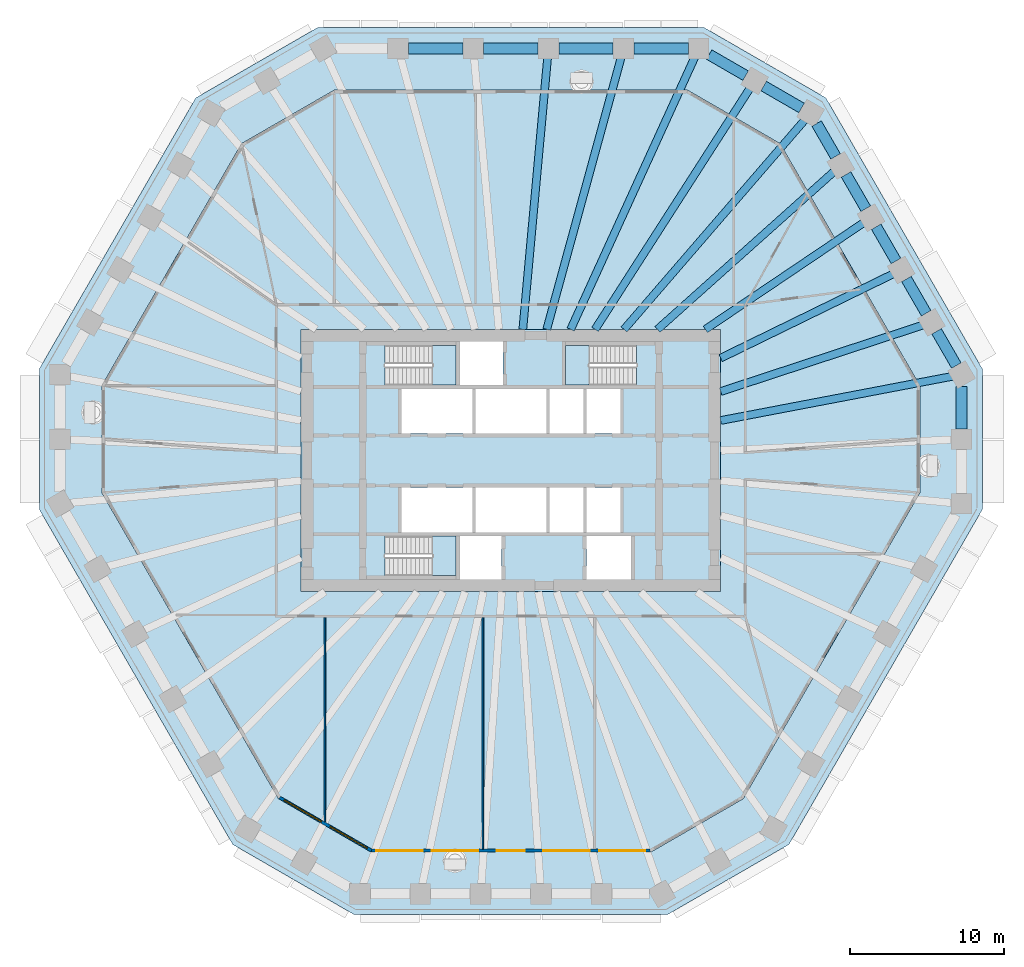
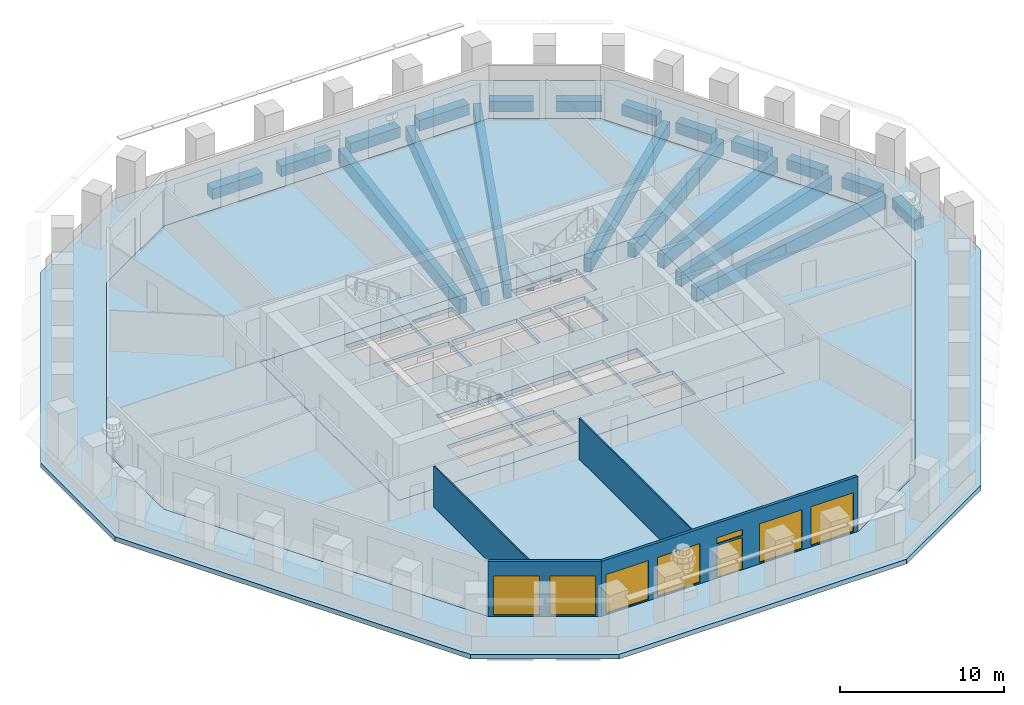
# One storey, part 2 of 12: 22 beams, 7 windows, 6 slabs, 4 walls, 1 door, 8 openings, 3 elements without a shape of their own.
"""IFC4 building model written with IfcOpenShell, lengths in metres."""

from ifc_helpers import new_model, si_unit, direction, frame, frame_2d, origin, origin_2d, place, context, subcontext, project, spatial, polyline, rectangle, outline, extrude, material, layer, layer_set, material_profile, profile_set, type_object, element, fill, aggregate, save


model = new_model("IFC4")

# Units and contexts
model_context = context("Model", 3, precision=1e-05, world=origin(), true_north=direction((0.0, 1.0)))
body_context = subcontext(model_context, "Body", "Model", "MODEL_VIEW")
ifc_project = project(units=[si_unit("LENGTHUNIT", "METRE"), si_unit("AREAUNIT", "SQUARE_METRE"), si_unit("VOLUMEUNIT", "CUBIC_METRE"), si_unit("PLANEANGLEUNIT", "RADIAN"), si_unit("MASSUNIT", "GRAM", prefix="KILO")], contexts=[model_context])

# Site, building, storey
site_placement = place(None, origin())
site = spatial("IfcSite", under=ifc_project, at=site_placement, CompositionType="ELEMENT")
building_placement = place(site_placement, origin())
building = spatial("IfcBuilding", under=site, at=building_placement, Name="Frailejon Research Tower", CompositionType="ELEMENT")
storey_placement = place(building_placement, frame((0.0, 0.0, 126.39990234375)))
storey = spatial("IfcBuildingStorey", under=building, at=storey_placement, Name="L27", CompositionType="ELEMENT", Elevation=126.39990234375)

# Beams
ifc_material_1 = material(Name="Concrete C60/75", Category="concrete")
ifc_material_profile_1 = material_profile(ifc_material_1, rectangle(XDim=0.5, YDim=1.050048828125, at=origin_2d()), Name="Girder 500x1050")
ifc_profile_set_1 = profile_set([ifc_material_profile_1], Name="Concrete C60/75")
beam_type_1 = type_object("IfcBeamType", Name="Girder 500x1050", PredefinedType="BEAM", material=ifc_profile_set_1)
beam_1_placement = place(storey_placement, frame((28.65625, 5.464599609375, -0.824951171875), z_axis=(-0.982299508461, -0.187317045881, 0.0), x_axis=(0.187317045881, -0.982299508461, 0.0)))
element("IfcBeam", 1, at=beam_1_placement, inside=storey, type_object=beam_type_1, Name="Girder 500x1050", PredefinedType="BEAM", context=body_context, shape_type="SweptSolid", body=[
    extrude(rectangle(XDim=0.5, YDim=1.050048828125, at=origin_2d()), origin(), (0.0, 0.0, 1.0), 15.327392578125),
])
beam_2_placement = place(storey_placement, frame((26.7421875, 8.790283203125, -0.824951171875), z_axis=(-0.949989871685, -0.312280712975, 0.0), x_axis=(0.312280712975, -0.949989871685, 0.0)))
element("IfcBeam", 2, at=beam_2_placement, inside=storey, type_object=beam_type_1, Name="Girder 500x1050", PredefinedType="BEAM", context=body_context, shape_type="SweptSolid", body=[
    extrude(rectangle(XDim=0.5, YDim=1.050048828125, at=origin_2d()), origin(), (0.0, 0.0, 1.0), 13.833984375),
])
beam_3_placement = place(storey_placement, frame((24.8251953125, 12.1162109375, -0.824951171875), z_axis=(-0.898678258454, -0.438608467522, 0.0), x_axis=(0.438608467522, -0.898678258454, 0.0)))
element("IfcBeam", 3, at=beam_3_placement, inside=storey, type_object=beam_type_1, Name="Girder 500x1050", PredefinedType="BEAM", context=body_context, shape_type="SweptSolid", body=[
    extrude(rectangle(XDim=0.5, YDim=1.050048828125, at=origin_2d()), origin(), (0.0, 0.0, 1.0), 12.49072265625),
])
beam_4_placement = place(storey_placement, frame((22.905517578125, 15.441162109375, -0.824951171875), z_axis=(-0.829186990789, -0.558971317964, 0.0), x_axis=(0.558971317964, -0.829186990789, 0.0)))
element("IfcBeam", 4, at=beam_4_placement, inside=storey, type_object=beam_type_1, Name="Girder 500x1050", PredefinedType="BEAM", context=body_context, shape_type="SweptSolid", body=[
    extrude(rectangle(XDim=0.5, YDim=1.050048828125, at=origin_2d()), origin(), (0.0, 0.0, 1.0), 12.417724609375),
])
beam_5_placement = place(storey_placement, frame((20.983642578125, 18.764404296875, -0.824951171875), z_axis=(-0.745422911023, -0.666591841926, 0.0), x_axis=(0.666591841926, -0.745422911023, 0.0)))
element("IfcBeam", 5, at=beam_5_placement, inside=storey, type_object=beam_type_1, Name="Girder 500x1050", PredefinedType="BEAM", context=body_context, shape_type="SweptSolid", body=[
    extrude(rectangle(XDim=0.5, YDim=1.050048828125, at=origin_2d()), origin(), (0.0, 0.0, 1.0), 15.3984375),
])
beam_6_placement = place(storey_placement, frame((19.07861328125, 22.105712890625, -0.824951171875), z_axis=(-0.65337403375, -0.757035251505, 0.0), x_axis=(0.757035251505, -0.65337403375, 0.0)))
element("IfcBeam", 6, at=beam_6_placement, inside=storey, type_object=beam_type_1, Name="Girder 500x1050", PredefinedType="BEAM", context=body_context, shape_type="SweptSolid", body=[
    extrude(rectangle(XDim=0.5, YDim=1.050048828125, at=origin_2d()), origin(), (0.0, 0.0, 1.0), 17.972412109375),
])
beam_7_placement = place(storey_placement, frame((15.51904296875, 24.163818359375, -0.824951171875), z_axis=(-0.540394975615, -0.84141147504, 0.0), x_axis=(0.84141147504, -0.540394975615, 0.0)))
element("IfcBeam", 7, at=beam_7_placement, inside=storey, type_object=beam_type_1, Name="Girder 500x1050", PredefinedType="BEAM", context=body_context, shape_type="SweptSolid", body=[
    extrude(rectangle(XDim=0.5, YDim=1.050048828125, at=origin_2d()), origin(), (0.0, 0.0, 1.0), 18.6162109375),
])
beam_8_placement = place(storey_placement, frame((11.930908203125, 26.16162109375, -0.824951171875), z_axis=(-0.41493120596, -0.90985278717, 0.0), x_axis=(0.90985278717, -0.41493120596, 0.0)))
element("IfcBeam", 8, at=beam_8_placement, inside=storey, type_object=beam_type_1, Name="Girder 500x1050", PredefinedType="BEAM", context=body_context, shape_type="SweptSolid", body=[
    extrude(rectangle(XDim=0.5, YDim=1.050048828125, at=origin_2d()), origin(), (0.0, 0.0, 1.0), 19.41162109375),
])
beam_9_placement = place(storey_placement, frame((7.160888671875, 26.169677734375, -0.824951171875), z_axis=(-0.263940506276, -0.964538961964, 0.0), x_axis=(0.964538961964, -0.263940506276, 0.0)))
element("IfcBeam", 9, at=beam_9_placement, inside=storey, type_object=beam_type_1, Name="Girder 500x1050", PredefinedType="BEAM", context=body_context, shape_type="SweptSolid", body=[
    extrude(rectangle(XDim=0.5, YDim=1.050048828125, at=origin_2d()), origin(), (0.0, 0.0, 1.0), 18.3193359375),
])
beam_10_placement = place(storey_placement, frame((2.387451171875, 26.17431640625, -0.824951171875), z_axis=(-0.090832176828, -0.995866213732, 0.0), x_axis=(0.995866213732, -0.090832176828, 0.0)))
element("IfcBeam", 10, at=beam_10_placement, inside=storey, type_object=beam_type_1, Name="Girder 500x1050", PredefinedType="BEAM", context=body_context, shape_type="SweptSolid", body=[
    extrude(rectangle(XDim=0.5, YDim=1.050048828125, at=origin_2d()), origin(), (0.0, 0.0, 1.0), 17.747802734375),
])
ifc_material_2 = material(Name="Concrete C60/75", Category="concrete")
ifc_material_profile_2 = material_profile(ifc_material_2, rectangle(XDim=0.699951171875, YDim=0.800048828125, at=origin_2d()), Name="Spandrel 700x800")
ifc_profile_set_2 = profile_set([ifc_material_profile_2], Name="Concrete C60/75")
beam_type_2 = type_object("IfcBeamType", Name="Spandrel 700x800", PredefinedType="BEAM", material=ifc_profile_set_2)
beam_11_placement = place(storey_placement, frame((29.211181640625, 2.057861328125, -0.75), z_axis=(0.0, 1.0, 0.0), x_axis=(-1.0, 0.0, 0.0)))
element("IfcBeam", 11, at=beam_11_placement, inside=storey, type_object=beam_type_2, Name="Spandrel 700x800", PredefinedType="BEAM", context=body_context, shape_type="SweptSolid", body=[
    extrude(rectangle(XDim=0.699951171875, YDim=0.800048828125, at=origin_2d()), origin(), (0.0, 0.0, 1.0), 2.733154296875),
])
beam_12_placement = place(storey_placement, frame((28.87353515625, 6.15478515625, -0.75), z_axis=(-0.499991857942, 0.866030104553, 0.0), x_axis=(-0.866030104553, -0.499991857942, 0.0)))
element("IfcBeam", 12, at=beam_12_placement, inside=storey, type_object=beam_type_2, Name="Spandrel 700x800", PredefinedType="BEAM", context=body_context, shape_type="SweptSolid", body=[
    extrude(rectangle(XDim=0.699951171875, YDim=0.800048828125, at=origin_2d()), origin(), (0.0, 0.0, 1.0), 2.5625),
])
beam_13_placement = place(storey_placement, frame((26.917236328125, 9.543212890625, -0.75), z_axis=(-0.499950606877, 0.866053919039, 0.0), x_axis=(-0.866053919039, -0.499950606877, 0.0)))
element("IfcBeam", 13, at=beam_13_placement, inside=storey, type_object=beam_type_2, Name="Spandrel 700x800", PredefinedType="BEAM", context=body_context, shape_type="SweptSolid", body=[
    extrude(rectangle(XDim=0.699951171875, YDim=0.800048828125, at=origin_2d()), origin(), (0.0, 0.0, 1.0), 2.562744140625),
])
for number, where, z_axis, x_axis, name in (
    (14, (24.9609375, 12.931884765625, -0.75), (-0.50003311468, 0.866006284171, 0.0), (-0.866006284171, -0.50003311468, 0.0), "Spandrel 700x800"),
    (15, (23.004638671875, 16.3203125, -0.75), (-0.50003311468, 0.866006284171, 0.0), (-0.866006284171, -0.50003311468, 0.0), "Spandrel 700x800"),
):
    element("IfcBeam", number, at=place(storey_placement, frame(where, z_axis=z_axis, x_axis=x_axis)), inside=storey, type_object=beam_type_2, Name=name, PredefinedType="BEAM", context=body_context, shape_type="SweptSolid", body=[
        extrude(rectangle(XDim=0.699951171875, YDim=0.800048828125, at=origin_2d()), origin(), (0.0, 0.0, 1.0), 2.562255859375),
    ])
beam_14_placement = place(storey_placement, frame((21.04833984375, 19.70849609375, -0.75), z_axis=(-0.499963176624, 0.866046662726, 0.0), x_axis=(-0.866046662726, -0.499963176624, 0.0)))
element("IfcBeam", 16, at=beam_14_placement, inside=storey, type_object=beam_type_2, Name="Spandrel 700x800", PredefinedType="BEAM", context=body_context, shape_type="SweptSolid", body=[
    extrude(rectangle(XDim=0.699951171875, YDim=0.800048828125, at=origin_2d()), origin(), (0.0, 0.0, 1.0), 2.458251953125),
])
beam_15_placement = place(storey_placement, frame((18.844970703125, 22.849853515625, -0.75), z_axis=(-0.865989280058, 0.500062562911, 0.0), x_axis=(-0.500062562911, -0.865989280058, 0.0)))
element("IfcBeam", 17, at=beam_15_placement, inside=storey, type_object=beam_type_2, Name="Spandrel 700x800", PredefinedType="BEAM", context=body_context, shape_type="SweptSolid", body=[
    extrude(rectangle(XDim=0.699951171875, YDim=0.800048828125, at=origin_2d()), origin(), (0.0, 0.0, 1.0), 2.837646484375),
])
beam_16_placement = place(storey_placement, frame((15.218505859375, 24.943603515625, -0.75), z_axis=(-0.866002615699, 0.500039468044, 0.0), x_axis=(-0.500039468044, -0.866002615699, 0.0)))
element("IfcBeam", 18, at=beam_16_placement, inside=storey, type_object=beam_type_2, Name="Spandrel 700x800", PredefinedType="BEAM", context=body_context, shape_type="SweptSolid", body=[
    extrude(rectangle(XDim=0.699951171875, YDim=0.800048828125, at=origin_2d()), origin(), (0.0, 0.0, 1.0), 2.733154296875),
])
for number, where, z_axis, x_axis, name in (
    (19, (11.50146484375, 26.699951171875, -0.75), (-1.0, 0.0, 0.0), (0.0, -1.0, 0.0), "Spandrel 700x800"),
    (20, (6.630859375, 26.699951171875, -0.75), (-1.0, 0.0, 0.0), (0.0, -1.0, 0.0), "Spandrel 700x800"),
    (21, (1.76025390625, 26.699951171875, -0.75), (-1.0, 0.0, 0.0), (0.0, -1.0, 0.0), "Spandrel 700x800"),
    (22, (-3.1103515625, 26.699951171875, -0.75), (-1.0, 0.0, 0.0), (0.0, -1.0, 0.0), "Spandrel 700x800"),
):
    element("IfcBeam", number, at=place(storey_placement, frame(where, z_axis=z_axis, x_axis=x_axis)), inside=storey, type_object=beam_type_2, Name=name, PredefinedType="BEAM", context=body_context, shape_type="SweptSolid", body=[
        extrude(rectangle(XDim=0.699951171875, YDim=0.800048828125, at=origin_2d()), origin(), (0.0, 0.0, 1.0), 3.5205078125),
    ])

# Slabs
ifc_material_3 = material(Name="Concrete C70/85", Category="concrete")
ifc_layer_1 = layer(ifc_material_3, 0.300048828125)
ifc_layer_set_1 = layer_set([ifc_layer_1], Name="Core floor slab 300 C70/85")
slab_type_1 = type_object("IfcSlabType", Name="Core floor slab 300 C70/85", PredefinedType="FLOOR", material=ifc_layer_set_1)
slab_1_placement = place(storey_placement, frame((0.0, 0.0, -0.2998046875)))
element("IfcSlab", 23, at=slab_1_placement, inside=storey, type_object=slab_type_1, Name="Core floor slab", PredefinedType="FLOOR", context=body_context, shape_type="SweptSolid", body=[
    extrude(outline(polyline([(13.60009765625, -8.5), (13.60009765625, 8.5), (-13.60009765625, 8.5), (-13.60009765625, -8.5), (13.60009765625, -8.5)]), holes=[polyline([(-2.5, 1.75), (-2.5, 4.64990234375), (-7.10009765625, 4.64990234375), (-7.10009765625, 1.75), (-2.5, 1.75)]), polyline([(2.300048828125, 1.75), (2.300048828125, 4.64990234375), (-2.300048828125, 4.64990234375), (-2.300048828125, 1.75), (2.300048828125, 1.75)]), polyline([(4.699951171875, 1.75), (4.699951171875, 4.64990234375), (2.5, 4.64990234375), (2.5, 1.75), (4.699951171875, 1.75)]), polyline([(7.10009765625, 1.75), (7.10009765625, 4.64990234375), (4.89990234375, 4.64990234375), (4.89990234375, 1.75), (7.10009765625, 1.75)]), polyline([(-2.5, -4.64990234375), (-2.5, -1.75), (-7.10009765625, -1.75), (-7.10009765625, -4.64990234375), (-2.5, -4.64990234375)]), polyline([(2.300048828125, -4.64990234375), (2.300048828125, -1.75), (-2.300048828125, -1.75), (-2.300048828125, -4.64990234375), (2.300048828125, -4.64990234375)]), polyline([(4.699951171875, -4.64990234375), (4.699951171875, -1.75), (2.5, -1.75), (2.5, -4.64990234375), (4.699951171875, -4.64990234375)]), polyline([(7.10009765625, -4.64990234375), (7.10009765625, -1.75), (4.89990234375, -1.75), (4.89990234375, -4.64990234375), (7.10009765625, -4.64990234375)]), polyline([(-8.14697265625, 4.89990234375), (-3.550048828125, 4.89990234375), (-3.550048828125, 7.449951171875), (-8.14697265625, 7.449951171875), (-8.14697265625, 4.89990234375)]), polyline([(-8.14697265625, -7.449951171875), (-3.550048828125, -7.449951171875), (-3.550048828125, -4.89990234375), (-8.14697265625, -4.89990234375), (-8.14697265625, -7.449951171875)]), polyline([(8.14697265625, 7.449951171875), (3.550048828125, 7.449951171875), (3.550048828125, 4.89990234375), (8.14697265625, 4.89990234375), (8.14697265625, 7.449951171875)]), polyline([(-0.60009765625, -7.699951171875), (-0.60009765625, -4.89990234375), (-3.300048828125, -4.89990234375), (-3.300048828125, -7.699951171875), (-0.60009765625, -7.699951171875)]), polyline([(7.800048828125, -7.699951171875), (7.800048828125, -4.89990234375), (4.89990234375, -4.89990234375), (4.89990234375, -7.699951171875), (7.800048828125, -7.699951171875)]), polyline([(-0.5, 4.89990234375), (-0.5, 7.699951171875), (-3.300048828125, 7.699951171875), (-3.300048828125, 4.89990234375), (-0.5, 4.89990234375)])]), origin(), (0.0, 0.0, 1.0), 0.2998046875),
])
ifc_material_4 = material(Name="Concrete C40/50", Category="concrete")
ifc_layer_2 = layer(ifc_material_4, 0.35009765625)
ifc_layer_set_2 = layer_set([ifc_layer_2], Name="Loggia slab 350")
slab_type_2 = type_object("IfcSlabType", Name="Loggia slab 350", PredefinedType="USERDEFINED", material=ifc_layer_set_2)
slab_2_placement = place(storey_placement, frame((0.0, 0.0, -0.349853515625)))
element("IfcSlab", 24, at=slab_2_placement, inside=storey, type_object=slab_type_2, Name="Loggia slab L27", ObjectType="LOGGIA", PredefinedType="USERDEFINED", context=body_context, shape_type="SweptSolid", body=[
    extrude(outline(polyline([(18.02294921875, -24.883544921875), (10.143310546875, -29.432861328125), (-10.143310546875, -29.432861328125), (-18.02294921875, -24.883544921875), (-30.56103515625, -3.16650390625), (-30.56103515625, 5.93212890625), (-20.41796875, 23.500732421875), (-12.538330078125, 28.050048828125), (12.538330078125, 28.050048828125), (20.41796875, 23.500732421875), (30.56103515625, 5.93212890625), (30.56103515625, -3.16650390625), (18.02294921875, -24.883544921875)]), holes=[polyline([(26.510986328125, 4.846923828125), (17.453125, 20.535888671875), (11.453125, 24.0), (-11.453125, 24.0), (-17.453125, 20.535888671875), (-26.510986328125, 4.846923828125), (-26.510986328125, -2.081298828125), (-15.05810546875, -21.918701171875), (-9.05810546875, -25.3828125), (9.05810546875, -25.3828125), (15.05810546875, -21.918701171875), (26.510986328125, -2.081298828125), (26.510986328125, 4.846923828125)])]), origin(), (0.0, 0.0, 1.0), 0.349853515625),
])
ifc_material_5 = material(Name="Concrete C40/50", Category="concrete")
ifc_layer_3 = layer(ifc_material_5, 0.300048828125)
ifc_layer_set_3 = layer_set([ifc_layer_3], Name="Slab typical 300")
slab_type_3 = type_object("IfcSlabType", Name="Slab typical 300", PredefinedType="FLOOR", material=ifc_layer_set_3)
slab_3_placement = place(storey_placement, frame((0.0, 0.0, -0.2998046875)))
element("IfcSlab", 25, at=slab_3_placement, inside=storey, type_object=slab_type_3, Name="Floor slab L27", PredefinedType="FLOOR", context=body_context, shape_type="SweptSolid", body=[
    extrude(outline(polyline([(26.510986328125, -2.081298828125), (26.510986328125, 4.846923828125), (17.453125, 20.535888671875), (11.453125, 24.0), (-11.453125, 24.0), (-17.453125, 20.535888671875), (-26.510986328125, 4.846923828125), (-26.510986328125, -2.081298828125), (-15.05810546875, -21.918701171875), (-9.05810546875, -25.3828125), (9.05810546875, -25.3828125), (15.05810546875, -21.918701171875), (26.510986328125, -2.081298828125)]), holes=[polyline([(13.60009765625, -8.5), (-13.60009765625, -8.5), (-13.60009765625, 8.5), (13.60009765625, 8.5), (13.60009765625, -8.5)])]), origin(), (0.0, 0.0, 1.0), 0.2998046875),
])

# Stair, slab
ifc_material_6 = material(Name="Concrete C50/60", Category="concrete")
stair_type = type_object("IfcStairType", Name="Exit stair 24 risers", PredefinedType="HALF_TURN_STAIR", material=ifc_material_6)
stair_1_placement = place(storey_placement, origin())
stair_1 = element("IfcStair", 26, at=stair_1_placement, inside=storey, type_object=stair_type, Name="L27 Exit stair ST1", PredefinedType="HALF_TURN_STAIR")
ifc_material_7 = material(Name="Concrete C50/60", Category="concrete")
ifc_layer_4 = layer(ifc_material_7, 0.199951171875)
ifc_layer_set_4 = layer_set([ifc_layer_4], Name="Stair landing slab 200")
slab_type_4 = type_object("IfcSlabType", Name="Stair landing slab 200", PredefinedType="LANDING", material=ifc_layer_set_4)
slab_4_placement = place(storey_placement, frame((0.0, 0.0, 2.0)))
slab_4 = element("IfcSlab", 27, at=slab_4_placement, type_object=slab_type_4, Name="ST1 landing 1", PredefinedType="LANDING", context=body_context, shape_type="SweptSolid", body=[
    extrude(outline(polyline([(-5.070068359375, 4.89990234375), (-3.550048828125, 4.89990234375), (-3.550048828125, 7.449951171875), (-5.070068359375, 7.449951171875), (-5.070068359375, 4.89990234375)])), origin(), (0.0, 0.0, 1.0), 0.2001953125),
])
aggregate(stair_1, [slab_4])

stair_2_placement = place(storey_placement, origin())
stair_2 = element("IfcStair", 28, at=stair_2_placement, inside=storey, type_object=stair_type, Name="L27 Exit stair ST2", PredefinedType="HALF_TURN_STAIR")
slab_5_placement = place(storey_placement, frame((0.0, 0.0, 2.0)))
slab_5 = element("IfcSlab", 29, at=slab_5_placement, type_object=slab_type_4, Name="ST2 landing 1", PredefinedType="LANDING", context=body_context, shape_type="SweptSolid", body=[
    extrude(outline(polyline([(-5.070068359375, -7.449951171875), (-3.550048828125, -7.449951171875), (-3.550048828125, -4.89990234375), (-5.070068359375, -4.89990234375), (-5.070068359375, -7.449951171875)])), origin(), (0.0, 0.0, 1.0), 0.2001953125),
])
aggregate(stair_2, [slab_5])

stair_3_placement = place(storey_placement, origin())
stair_3 = element("IfcStair", 30, at=stair_3_placement, inside=storey, type_object=stair_type, Name="L27 Exit stair ST3", PredefinedType="HALF_TURN_STAIR")
slab_6_placement = place(storey_placement, frame((0.0, 0.0, 2.0)))
slab_6 = element("IfcSlab", 31, at=slab_6_placement, type_object=slab_type_4, Name="ST3 landing 1", PredefinedType="LANDING", context=body_context, shape_type="SweptSolid", body=[
    extrude(outline(polyline([(5.070068359375, 7.449951171875), (3.550048828125, 7.449951171875), (3.550048828125, 4.89990234375), (5.070068359375, 4.89990234375), (5.070068359375, 7.449951171875)])), origin(), (0.0, 0.0, 1.0), 0.2001953125),
])
aggregate(stair_3, [slab_6])

# Walls
ifc_material_8 = material(Name="Gypsum board and masonry partition", Category="masonry")
ifc_layer_5 = layer(ifc_material_8, 0.10009765625)
ifc_layer_set_5 = layer_set([ifc_layer_5], Name="Partition, gypsum on steel studs 100")
wall_type_1 = type_object("IfcWallType", Name="Partition, gypsum on steel studs 100", PredefinedType="PARTITIONING", material=ifc_layer_set_5)
wall_1_placement = place(storey_placement, frame((-12.05810546875, -23.419921875, 0.0), z_axis=(0.0, 0.0, 1.0), x_axis=(0.0, 1.0, 0.0)))
element("IfcWall", 32, at=wall_1_placement, inside=storey, type_object=wall_type_1, Name="T:IW:L27:023", PredefinedType="PARTITIONING", context=body_context, shape_type="SweptSolid", body=[
    extrude(rectangle(XDim=13.244873046875, YDim=0.10009765625, at=frame_2d((6.62255859375, 0.0))), origin(), (0.0, 0.0, 1.0), 3.050048828125),
])
wall_2_placement = place(storey_placement, frame((-1.8115234375, -25.182861328125, 0.0), z_axis=(0.0, 0.0, 1.0), x_axis=(0.0, 1.0, 0.0)))
element("IfcWall", 33, at=wall_2_placement, inside=storey, type_object=wall_type_1, Name="T:IW:L27:024", PredefinedType="PARTITIONING", context=body_context, shape_type="SweptSolid", body=[
    extrude(rectangle(XDim=15.0078125, YDim=0.10009765625, at=frame_2d((7.50390625, 0.0))), origin(), (0.0, 0.0, 1.0), 3.050048828125),
])

# Wall, openings, windows
ifc_material_9 = material(Name="Concrete C40/50 precast window wall panel", Category="concrete")
ifc_layer_6 = layer(ifc_material_9, 0.199951171875)
ifc_layer_set_6 = layer_set([ifc_layer_6], Name="Window wall 200")
wall_type_2 = type_object("IfcWallType", Name="Window wall 200", PredefinedType="SOLIDWALL", material=ifc_layer_set_6)
wall_3_placement = place(storey_placement, frame((-14.98486328125, -21.845458984375, 0.0), z_axis=(0.0, 0.0, 1.0), x_axis=(0.866029458321, -0.49999297727, 0.0)))
wall_3 = element("IfcWall", 34, at=wall_3_placement, inside=storey, type_object=wall_type_2, Name="Exterior wall L27", PredefinedType="SOLIDWALL", context=body_context, shape_type="SweptSolid", body=[
    extrude(outline(polyline([(-0.02685546875, -0.10009765625), (1.1279296875, -0.10009765625), (2.282470703125, -0.10009765625), (3.437255859375, -0.10009765625), (4.592041015625, -0.10009765625), (5.74658203125, -0.10009765625), (6.9013671875, -0.10009765625), (6.84765625, 0.10009765625), (5.7109375, 0.10009765625), (4.573974609375, 0.10009765625), (3.437255859375, 0.10009765625), (2.300537109375, 0.10009765625), (1.16357421875, 0.10009765625), (0.02685546875, 0.10009765625), (-0.02685546875, -0.10009765625)])), origin(), (0.0, 0.0, 1.0), 4.10009765625),
])
opening_1_placement = place(wall_3_placement, frame((0.318603515625, 0.0, 0.10009765625)))
opening_1 = element("IfcOpeningElement", 35, at=opening_1_placement, cuts=wall_3, Name="Opening W3", PredefinedType="OPENING", context=body_context, shape_type="SweptSolid", body=[
    extrude(rectangle(XDim=2.800048828125, YDim=2.89990234375, at=frame_2d((1.39990234375, 1.449951171875))), frame((0.0, 0.10986328125, 0.0), z_axis=(0.0, -1.0, 0.0), x_axis=(1.0, 0.0, 0.0)), (0.0, 0.0, 1.0), 0.219970703125),
])
opening_2_placement = place(wall_3_placement, frame((3.756103515625, 0.0, 0.10009765625)))
opening_2 = element("IfcOpeningElement", 36, at=opening_2_placement, cuts=wall_3, Name="Opening W3", PredefinedType="OPENING", context=body_context, shape_type="SweptSolid", body=[
    extrude(rectangle(XDim=2.800048828125, YDim=2.89990234375, at=frame_2d((1.39990234375, 1.449951171875))), frame((0.0, 0.10986328125, 0.0), z_axis=(0.0, -1.0, 0.0), x_axis=(1.0, 0.0, 0.0)), (0.0, 0.0, 1.0), 0.219970703125),
])
ifc_material_10 = material(Name="Aluminium framed double glazing", Category="aluminium")
window_type_1 = type_object("IfcWindowType", Name="Window 2800x2900", PartitioningType="SINGLE_PANEL", PredefinedType="WINDOW", material=ifc_material_10)
window_1_placement = place(opening_1_placement, origin())
window_1 = element("IfcWindow", 37, at=window_1_placement, inside=storey, type_object=window_type_1, Name="Window L27", OverallHeight=2.89990234375, OverallWidth=2.800048828125, PartitioningType="SINGLE_PANEL", PredefinedType="WINDOW", context=body_context, shape_type="SweptSolid", body=[
    extrude(rectangle(XDim=2.800048828125, YDim=2.89990234375, at=frame_2d((1.39990234375, 1.449951171875))), frame((0.0, 0.030029296875, 0.0), z_axis=(0.0, -1.0, 0.0), x_axis=(1.0, 0.0, 0.0)), (0.0, 0.0, 1.0), 0.06005859375),
])
fill(opening_1, window_1)
window_2_placement = place(opening_2_placement, origin())
window_2 = element("IfcWindow", 38, at=window_2_placement, inside=storey, type_object=window_type_1, Name="Window L27", OverallHeight=2.89990234375, OverallWidth=2.800048828125, PartitioningType="SINGLE_PANEL", PredefinedType="WINDOW", context=body_context, shape_type="SweptSolid", body=[
    extrude(rectangle(XDim=2.800048828125, YDim=2.89990234375, at=frame_2d((1.39990234375, 1.449951171875))), frame((0.0, 0.030029296875, 0.0), z_axis=(0.0, -1.0, 0.0), x_axis=(1.0, 0.0, 0.0)), (0.0, 0.0, 1.0), 0.06005859375),
])
fill(opening_2, window_2)

# Wall, openings, door, windows
wall_4_placement = place(storey_placement, frame((-9.03125, -25.28271484375, 0.0), z_axis=(0.0, 0.0, 1.0), x_axis=(1.0, 0.0, 0.0)))
wall_4 = element("IfcWall", 39, at=wall_4_placement, inside=storey, type_object=wall_type_2, Name="Exterior wall L27", PredefinedType="SOLIDWALL", context=body_context, shape_type="SweptSolid", body=[
    extrude(outline(polyline([(-0.02685546875, -0.10009765625), (0.9794921875, -0.10009765625), (1.986083984375, -0.10009765625), (2.992431640625, -0.10009765625), (3.9990234375, -0.10009765625), (5.00537109375, -0.10009765625), (6.011962890625, -0.10009765625), (7.018310546875, -0.10009765625), (8.02490234375, -0.10009765625), (9.03125, -0.10009765625), (10.03759765625, -0.10009765625), (11.044189453125, -0.10009765625), (12.050537109375, -0.10009765625), (13.05712890625, -0.10009765625), (14.0634765625, -0.10009765625), (15.070068359375, -0.10009765625), (16.076416015625, -0.10009765625), (17.0830078125, -0.10009765625), (18.08935546875, -0.10009765625), (18.03564453125, 0.10009765625), (17.03515625, 0.10009765625), (16.03466796875, 0.10009765625), (15.0341796875, 0.10009765625), (14.03369140625, 0.10009765625), (13.033203125, 0.10009765625), (12.03271484375, 0.10009765625), (11.0322265625, 0.10009765625), (10.03173828125, 0.10009765625), (9.03125, 0.10009765625), (8.03076171875, 0.10009765625), (7.0302734375, 0.10009765625), (6.02978515625, 0.10009765625), (5.029296875, 0.10009765625), (4.02880859375, 0.10009765625), (3.0283203125, 0.10009765625), (2.02783203125, 0.10009765625), (1.02734375, 0.10009765625), (0.02685546875, 0.10009765625), (-0.02685546875, -0.10009765625)])), origin(), (0.0, 0.0, 1.0), 4.10009765625),
])
opening_3_placement = place(wall_4_placement, frame((0.306396484375, 0.0, 0.10009765625)))
opening_3 = element("IfcOpeningElement", 40, at=opening_3_placement, cuts=wall_4, Name="Opening W4", PredefinedType="OPENING", context=body_context, shape_type="SweptSolid", body=[
    extrude(rectangle(XDim=3.0, YDim=2.89990234375, at=frame_2d((1.5, 1.449951171875))), frame((0.0, 0.10986328125, 0.0), z_axis=(0.0, -1.0, 0.0), x_axis=(1.0, 0.0, 0.0)), (0.0, 0.0, 1.0), 0.219970703125),
])
opening_4_placement = place(wall_4_placement, frame((3.918701171875, 0.0, 0.10009765625)))
opening_4 = element("IfcOpeningElement", 41, at=opening_4_placement, cuts=wall_4, Name="Opening W4", PredefinedType="OPENING", context=body_context, shape_type="SweptSolid", body=[
    extrude(rectangle(XDim=3.0, YDim=2.89990234375, at=frame_2d((1.5, 1.449951171875))), frame((0.0, 0.10986328125, 0.0), z_axis=(0.0, -1.0, 0.0), x_axis=(1.0, 0.0, 0.0)), (0.0, 0.0, 1.0), 0.219970703125),
])
opening_5_placement = place(wall_4_placement, frame((8.13134765625, 0.0, 0.0)))
opening_5 = element("IfcOpeningElement", 42, at=opening_5_placement, cuts=wall_4, Name="Opening LG27-5", PredefinedType="OPENING", context=body_context, shape_type="SweptSolid", body=[
    extrude(rectangle(XDim=1.800048828125, YDim=2.39990234375, at=frame_2d((0.89990234375, 1.199951171875))), frame((0.0, 0.10986328125, 0.0), z_axis=(0.0, -1.0, 0.0), x_axis=(1.0, 0.0, 0.0)), (0.0, 0.0, 1.0), 0.219970703125),
])
opening_6_placement = place(wall_4_placement, frame((8.13134765625, 0.0, 2.550048828125)))
opening_6 = element("IfcOpeningElement", 43, at=opening_6_placement, cuts=wall_4, Name="Opening W1", PredefinedType="OPENING", context=body_context, shape_type="SweptSolid", body=[
    extrude(rectangle(XDim=1.800048828125, YDim=0.449951171875, at=frame_2d((0.89990234375, 0.22509765625))), frame((0.0, 0.10986328125, 0.0), z_axis=(0.0, -1.0, 0.0), x_axis=(1.0, 0.0, 0.0)), (0.0, 0.0, 1.0), 0.219970703125),
])
opening_7_placement = place(wall_4_placement, frame((11.143798828125, 0.0, 0.10009765625)))
opening_7 = element("IfcOpeningElement", 44, at=opening_7_placement, cuts=wall_4, Name="Opening W4", PredefinedType="OPENING", context=body_context, shape_type="SweptSolid", body=[
    extrude(rectangle(XDim=3.0, YDim=2.89990234375, at=frame_2d((1.5, 1.449951171875))), frame((0.0, 0.10986328125, 0.0), z_axis=(0.0, -1.0, 0.0), x_axis=(1.0, 0.0, 0.0)), (0.0, 0.0, 1.0), 0.219970703125),
])
opening_8_placement = place(wall_4_placement, frame((14.75634765625, 0.0, 0.10009765625)))
opening_8 = element("IfcOpeningElement", 45, at=opening_8_placement, cuts=wall_4, Name="Opening W4", PredefinedType="OPENING", context=body_context, shape_type="SweptSolid", body=[
    extrude(rectangle(XDim=3.0, YDim=2.89990234375, at=frame_2d((1.5, 1.449951171875))), frame((0.0, 0.10986328125, 0.0), z_axis=(0.0, -1.0, 0.0), x_axis=(1.0, 0.0, 0.0)), (0.0, 0.0, 1.0), 0.219970703125),
])
ifc_material_11 = material(Name="Aluminium framed glazed door leaf", Category="aluminium")
door_type = type_object("IfcDoorType", Name="Loggia door 1800x2400", OperationType="DOUBLE_DOOR_SINGLE_SWING", PredefinedType="DOOR", material=ifc_material_11)
door_placement = place(opening_5_placement, origin())
door = element("IfcDoor", 46, at=door_placement, inside=storey, type_object=door_type, Name="Door LG27-5", OperationType="DOUBLE_DOOR_SINGLE_SWING", OverallHeight=2.39990234375, OverallWidth=1.800048828125, PredefinedType="DOOR", context=body_context, shape_type="SweptSolid", body=[
    extrude(rectangle(XDim=1.800048828125, YDim=2.39990234375, at=frame_2d((0.89990234375, 1.199951171875))), frame((0.0, 0.02490234375, 0.0), z_axis=(0.0, -1.0, 0.0), x_axis=(1.0, 0.0, 0.0)), (0.0, 0.0, 1.0), 0.050048828125),
])
fill(opening_5, door)
ifc_material_12 = material(Name="Aluminium framed double glazing", Category="aluminium")
window_type_2 = type_object("IfcWindowType", Name="Window 1800x450", PartitioningType="SINGLE_PANEL", PredefinedType="WINDOW", material=ifc_material_12)
window_3_placement = place(opening_6_placement, origin())
window_3 = element("IfcWindow", 47, at=window_3_placement, inside=storey, type_object=window_type_2, Name="Window L27", OverallHeight=0.449951171875, OverallWidth=1.800048828125, PartitioningType="SINGLE_PANEL", PredefinedType="WINDOW", context=body_context, shape_type="SweptSolid", body=[
    extrude(rectangle(XDim=1.800048828125, YDim=0.449951171875, at=frame_2d((0.89990234375, 0.22509765625))), frame((0.0, 0.030029296875, 0.0), z_axis=(0.0, -1.0, 0.0), x_axis=(1.0, 0.0, 0.0)), (0.0, 0.0, 1.0), 0.06005859375),
])
fill(opening_6, window_3)
ifc_material_13 = material(Name="Aluminium framed double glazing", Category="aluminium")
window_type_3 = type_object("IfcWindowType", Name="Window 3000x2900", PartitioningType="SINGLE_PANEL", PredefinedType="WINDOW", material=ifc_material_13)
window_4_placement = place(opening_3_placement, origin())
window_4 = element("IfcWindow", 48, at=window_4_placement, inside=storey, type_object=window_type_3, Name="Window L27", OverallHeight=2.89990234375, OverallWidth=3.0, PartitioningType="SINGLE_PANEL", PredefinedType="WINDOW", context=body_context, shape_type="SweptSolid", body=[
    extrude(rectangle(XDim=3.0, YDim=2.89990234375, at=frame_2d((1.5, 1.449951171875))), frame((0.0, 0.030029296875, 0.0), z_axis=(0.0, -1.0, 0.0), x_axis=(1.0, 0.0, 0.0)), (0.0, 0.0, 1.0), 0.06005859375),
])
fill(opening_3, window_4)
window_5_placement = place(opening_4_placement, origin())
window_5 = element("IfcWindow", 49, at=window_5_placement, inside=storey, type_object=window_type_3, Name="Window L27", OverallHeight=2.89990234375, OverallWidth=3.0, PartitioningType="SINGLE_PANEL", PredefinedType="WINDOW", context=body_context, shape_type="SweptSolid", body=[
    extrude(rectangle(XDim=3.0, YDim=2.89990234375, at=frame_2d((1.5, 1.449951171875))), frame((0.0, 0.030029296875, 0.0), z_axis=(0.0, -1.0, 0.0), x_axis=(1.0, 0.0, 0.0)), (0.0, 0.0, 1.0), 0.06005859375),
])
fill(opening_4, window_5)
window_6_placement = place(opening_7_placement, origin())
window_6 = element("IfcWindow", 50, at=window_6_placement, inside=storey, type_object=window_type_3, Name="Window L27", OverallHeight=2.89990234375, OverallWidth=3.0, PartitioningType="SINGLE_PANEL", PredefinedType="WINDOW", context=body_context, shape_type="SweptSolid", body=[
    extrude(rectangle(XDim=3.0, YDim=2.89990234375, at=frame_2d((1.5, 1.449951171875))), frame((0.0, 0.030029296875, 0.0), z_axis=(0.0, -1.0, 0.0), x_axis=(1.0, 0.0, 0.0)), (0.0, 0.0, 1.0), 0.06005859375),
])
fill(opening_7, window_6)
window_7_placement = place(opening_8_placement, origin())
window_7 = element("IfcWindow", 51, at=window_7_placement, inside=storey, type_object=window_type_3, Name="Window L27", OverallHeight=2.89990234375, OverallWidth=3.0, PartitioningType="SINGLE_PANEL", PredefinedType="WINDOW", context=body_context, shape_type="SweptSolid", body=[
    extrude(rectangle(XDim=3.0, YDim=2.89990234375, at=frame_2d((1.5, 1.449951171875))), frame((0.0, 0.030029296875, 0.0), z_axis=(0.0, -1.0, 0.0), x_axis=(1.0, 0.0, 0.0)), (0.0, 0.0, 1.0), 0.06005859375),
])
fill(opening_8, window_7)

save(model, "model.ifc")
